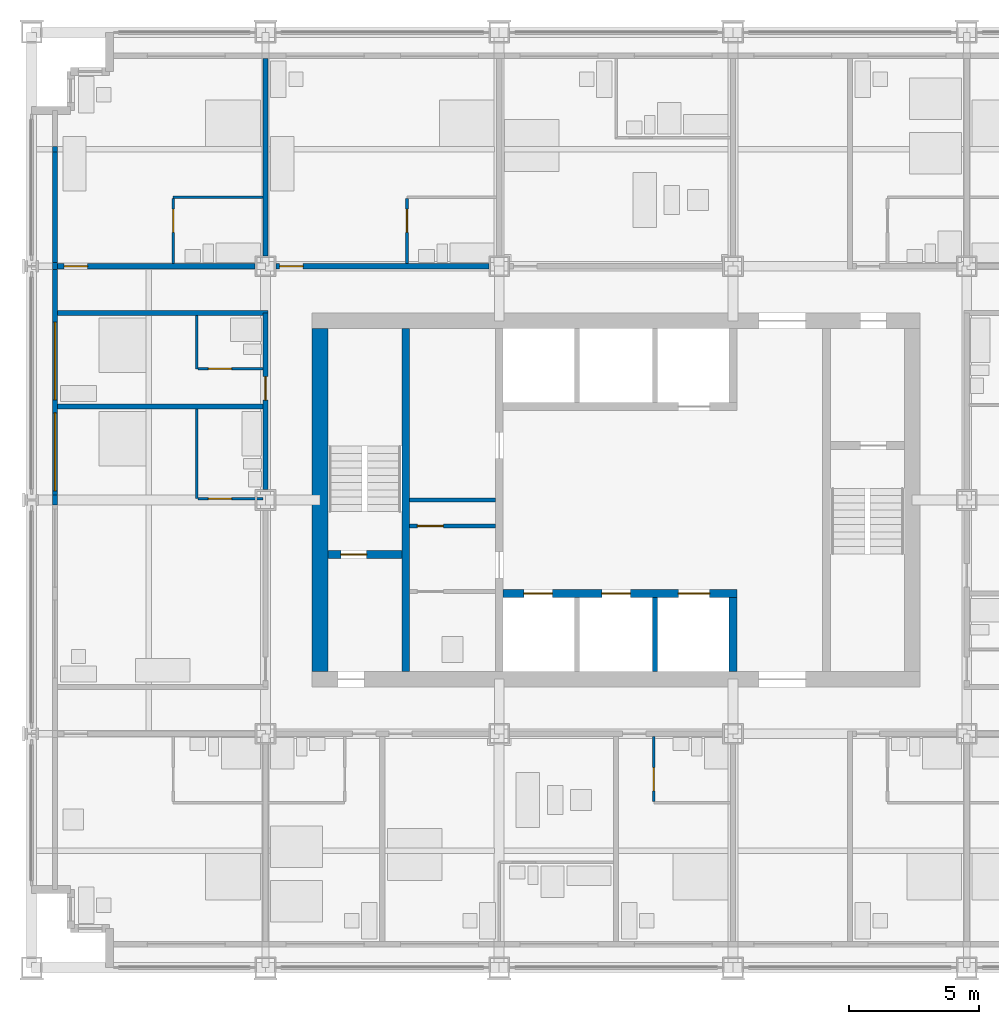
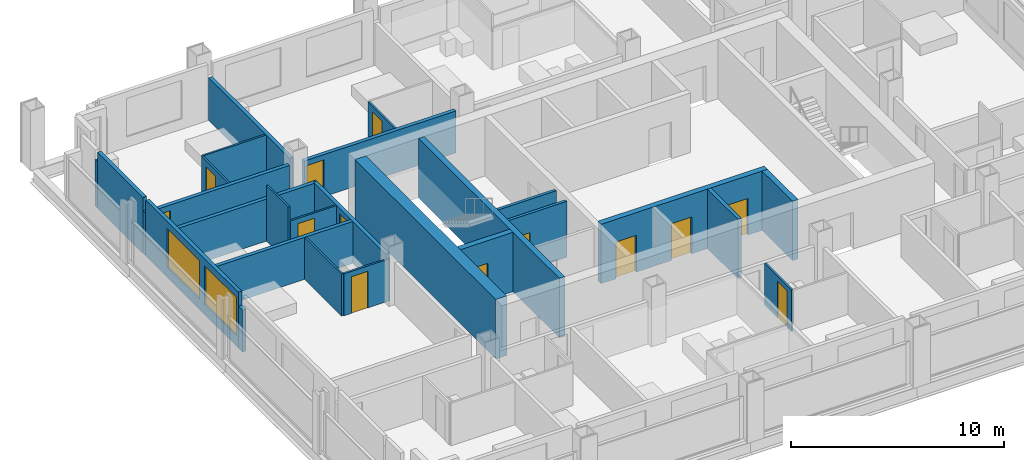
# One storey, part 10 of 16: 27 walls, 13 doors, 2 windows, 15 openings.
"""IFC4 building model written with IfcOpenShell, lengths in metres."""

from ifc_helpers import new_model, si_unit, direction, frame, frame_2d, origin, place, context, subcontext, project, spatial, rectangle, extrude, material, layer, layer_set, type_object, element, fill, save


model = new_model("IFC4")

# Units and contexts
model_context = context("Model", 3, precision=1e-05, world=origin(), true_north=direction((0.0, 1.0)))
body_context = subcontext(model_context, "Body", "Model", "MODEL_VIEW")
ifc_project = project(units=[si_unit("LENGTHUNIT", "METRE"), si_unit("AREAUNIT", "SQUARE_METRE"), si_unit("VOLUMEUNIT", "CUBIC_METRE"), si_unit("PLANEANGLEUNIT", "RADIAN"), si_unit("MASSUNIT", "GRAM", prefix="KILO")], contexts=[model_context])

# Site, building, storey
site_placement = place(None, origin())
site = spatial("IfcSite", under=ifc_project, at=site_placement, CompositionType="ELEMENT")
building_placement = place(site_placement, origin())
building = spatial("IfcBuilding", under=site, at=building_placement, Name="Loomwork Tower", CompositionType="ELEMENT")
storey_placement = place(building_placement, frame((0.0, 0.0, 124.800048828125)))
storey = spatial("IfcBuildingStorey", under=building, at=storey_placement, Name="L33", CompositionType="ELEMENT", Elevation=124.800048828125)

# Wall
ifc_material_1 = material(Name="Concrete 14000 psi (97 MPa)", Category="concrete")
ifc_layer_1 = layer(ifc_material_1, 0.300048828125)
ifc_layer_set_1 = layer_set([ifc_layer_1], Name="Core shear wall 300")
wall_type_1 = type_object("IfcWallType", Name="Core shear wall 300", PredefinedType="SHEAR", material=ifc_layer_set_1)
wall_1_placement = place(storey_placement, frame((14.39990234375, 11.39990234375, 0.0), z_axis=(0.0, 0.0, 1.0), x_axis=(0.0, 1.0, 0.0)))
element("IfcWall", 1, at=wall_1_placement, inside=storey, type_object=wall_type_1, Name="Stair A east wall L33", PredefinedType="SHEAR", context=body_context, shape_type="SweptSolid", body=[
    extrude(rectangle(XDim=13.2001953125, YDim=0.300048828125, at=frame_2d((6.60009765625, 0.0))), origin(), (0.0, 0.0, 1.0), 3.39990234375),
])

# Wall, opening, door
wall_2_placement = place(storey_placement, frame((11.39990234375, 15.89990234375, 0.0), z_axis=(0.0, 0.0, 1.0), x_axis=(1.0, 0.0, 0.0)))
wall_2 = element("IfcWall", 2, at=wall_2_placement, inside=storey, type_object=wall_type_1, Name="Stair A south wall L33", PredefinedType="SHEAR", context=body_context, shape_type="SweptSolid", body=[
    extrude(rectangle(XDim=2.85009765625, YDim=0.300048828125, at=frame_2d((1.425048828125, 0.0))), origin(), (0.0, 0.0, 1.0), 3.39990234375),
])
opening_1_placement = place(wall_2_placement, frame((0.5, 0.0, 0.0)))
opening_1 = element("IfcOpeningElement", 3, at=opening_1_placement, cuts=wall_2, Name="Opening D4", PredefinedType="OPENING", context=body_context, shape_type="SweptSolid", body=[
    extrude(rectangle(XDim=1.0, YDim=2.10009765625, at=frame_2d((0.5, 1.050048828125))), frame((0.0, 0.159912109375, 0.0), z_axis=(0.0, -1.0, 0.0), x_axis=(1.0, 0.0, 0.0)), (0.0, 0.0, 1.0), 0.320068359375),
])
ifc_material_2 = material(Name="Hollow metal door and frame")
door_type_1 = type_object("IfcDoorType", Name="Stair door 1000", OperationType="SINGLE_SWING_RIGHT", PredefinedType="DOOR", material=ifc_material_2)
door_1_placement = place(opening_1_placement, origin())
door_1 = element("IfcDoor", 4, at=door_1_placement, inside=storey, type_object=door_type_1, Name="Stair A door", OperationType="SINGLE_SWING_LEFT", OverallHeight=2.10009765625, OverallWidth=1.0, PredefinedType="DOOR", context=body_context, shape_type="SweptSolid", body=[
    extrude(rectangle(XDim=1.0, YDim=2.10009765625, at=frame_2d((0.5, 1.050048828125))), frame((0.0, 0.02490234375, 0.0), z_axis=(0.0, -1.0, 0.0), x_axis=(1.0, 0.0, 0.0)), (0.0, 0.0, 1.0), 0.050048828125),
])
fill(opening_1, door_1)

# Wall, openings, doors
wall_3_placement = place(storey_placement, frame((18.14990234375, 14.39990234375, 0.0), z_axis=(0.0, 0.0, 1.0), x_axis=(1.0, 0.0, 0.0)))
wall_3 = element("IfcWall", 5, at=wall_3_placement, inside=storey, type_object=wall_type_1, Name="Lift front wall south L33", PredefinedType="SHEAR", context=body_context, shape_type="SweptSolid", body=[
    extrude(rectangle(XDim=9.0, YDim=0.300048828125, at=frame_2d((4.5, 0.0))), origin(), (0.0, 0.0, 1.0), 3.39990234375),
])
opening_2_placement = place(wall_3_placement, frame((0.800048828125, 0.0, 0.0)))
opening_2 = element("IfcOpeningElement", 6, at=opening_2_placement, cuts=wall_3, Name="Opening LD1", PredefinedType="OPENING", context=body_context, shape_type="SweptSolid", body=[
    extrude(rectangle(XDim=1.10009765625, YDim=2.10009765625, at=frame_2d((0.550048828125, 1.050048828125))), frame((0.0, 0.159912109375, 0.0), z_axis=(0.0, -1.0, 0.0), x_axis=(1.0, 0.0, 0.0)), (0.0, 0.0, 1.0), 0.320068359375),
])
opening_3_placement = place(wall_3_placement, frame((3.800048828125, 0.0, 0.0)))
opening_3 = element("IfcOpeningElement", 7, at=opening_3_placement, cuts=wall_3, Name="Opening LD1", PredefinedType="OPENING", context=body_context, shape_type="SweptSolid", body=[
    extrude(rectangle(XDim=1.10009765625, YDim=2.10009765625, at=frame_2d((0.550048828125, 1.050048828125))), frame((0.0, 0.159912109375, 0.0), z_axis=(0.0, -1.0, 0.0), x_axis=(1.0, 0.0, 0.0)), (0.0, 0.0, 1.0), 0.320068359375),
])
opening_4_placement = place(wall_3_placement, frame((6.75, 0.0, 0.0)))
opening_4 = element("IfcOpeningElement", 8, at=opening_4_placement, cuts=wall_3, Name="Opening LD2", PredefinedType="OPENING", context=body_context, shape_type="SweptSolid", body=[
    extrude(rectangle(XDim=1.199951171875, YDim=2.10009765625, at=frame_2d((0.60009765625, 1.050048828125))), frame((0.0, 0.159912109375, 0.0), z_axis=(0.0, -1.0, 0.0), x_axis=(1.0, 0.0, 0.0)), (0.0, 0.0, 1.0), 0.320068359375),
])
ifc_material_3 = material(Name="Hollow metal door and frame")
door_type_2 = type_object("IfcDoorType", Name="Lift landing door 1100", OperationType="SLIDING_TO_LEFT", PredefinedType="DOOR", material=ifc_material_3)
door_2_placement = place(opening_2_placement, origin())
door_2 = element("IfcDoor", 9, at=door_2_placement, inside=storey, type_object=door_type_2, Name="Lift landing door LB1", OperationType="SLIDING_TO_LEFT", OverallHeight=2.10009765625, OverallWidth=1.10009765625, PredefinedType="DOOR", context=body_context, shape_type="SweptSolid", body=[
    extrude(rectangle(XDim=1.10009765625, YDim=2.10009765625, at=frame_2d((0.550048828125, 1.050048828125))), frame((0.0, 0.02490234375, 0.0), z_axis=(0.0, -1.0, 0.0), x_axis=(1.0, 0.0, 0.0)), (0.0, 0.0, 1.0), 0.050048828125),
])
fill(opening_2, door_2)
door_3_placement = place(opening_3_placement, origin())
door_3 = element("IfcDoor", 10, at=door_3_placement, inside=storey, type_object=door_type_2, Name="Lift landing door LB2", OperationType="SLIDING_TO_LEFT", OverallHeight=2.10009765625, OverallWidth=1.10009765625, PredefinedType="DOOR", context=body_context, shape_type="SweptSolid", body=[
    extrude(rectangle(XDim=1.10009765625, YDim=2.10009765625, at=frame_2d((0.550048828125, 1.050048828125))), frame((0.0, 0.02490234375, 0.0), z_axis=(0.0, -1.0, 0.0), x_axis=(1.0, 0.0, 0.0)), (0.0, 0.0, 1.0), 0.050048828125),
])
fill(opening_3, door_3)
ifc_material_4 = material(Name="Hollow metal door and frame")
door_type_3 = type_object("IfcDoorType", Name="Lift landing door 1200", OperationType="SLIDING_TO_LEFT", PredefinedType="DOOR", material=ifc_material_4)
door_4_placement = place(opening_4_placement, origin())
door_4 = element("IfcDoor", 11, at=door_4_placement, inside=storey, type_object=door_type_3, Name="Lift landing door LF1", OperationType="SLIDING_TO_LEFT", OverallHeight=2.10009765625, OverallWidth=1.199951171875, PredefinedType="DOOR", context=body_context, shape_type="SweptSolid", body=[
    extrude(rectangle(XDim=1.199951171875, YDim=2.10009765625, at=frame_2d((0.60009765625, 1.050048828125))), frame((0.0, 0.02490234375, 0.0), z_axis=(0.0, -1.0, 0.0), x_axis=(1.0, 0.0, 0.0)), (0.0, 0.0, 1.0), 0.050048828125),
])
fill(opening_4, door_4)

# Walls
wall_4_placement = place(storey_placement, frame((27.0, 11.39990234375, 0.0), z_axis=(0.0, 0.0, 1.0), x_axis=(0.0, 1.0, 0.0)))
element("IfcWall", 12, at=wall_4_placement, inside=storey, type_object=wall_type_1, Name="Lift shaft end wall south L33", PredefinedType="SHEAR", context=body_context, shape_type="SweptSolid", body=[
    extrude(rectangle(XDim=2.85009765625, YDim=0.300048828125, at=frame_2d((1.425048828125, 0.0))), origin(), (0.0, 0.0, 1.0), 3.39990234375),
])
ifc_material_5 = material(Name="Concrete 14000 psi (97 MPa)", Category="concrete")
ifc_layer_2 = layer(ifc_material_5, 0.60009765625)
ifc_layer_set_2 = layer_set([ifc_layer_2], Name="Core shear wall 600")
wall_type_2 = type_object("IfcWallType", Name="Core shear wall 600", PredefinedType="SHEAR", material=ifc_layer_set_2)
wall_5_placement = place(storey_placement, frame((11.10009765625, 11.39990234375, 0.0), z_axis=(0.0, 0.0, 1.0), x_axis=(0.0, 1.0, 0.0)))
element("IfcWall", 13, at=wall_5_placement, inside=storey, type_object=wall_type_2, Name="Core wall west L33", PredefinedType="SHEAR", context=body_context, shape_type="SweptSolid", body=[
    extrude(rectangle(XDim=13.2001953125, YDim=0.60009765625, at=frame_2d((6.60009765625, 0.0))), origin(), (0.0, 0.0, 1.0), 3.39990234375),
])

# Wall, opening, door
ifc_material_6 = material(Name="Gypsum board on steel studs, one-hour", Category="steel")
ifc_layer_3 = layer(ifc_material_6, 0.199951171875)
ifc_layer_set_3 = layer_set([ifc_layer_3], Name="Corridor wall 200")
wall_type_3 = type_object("IfcWallType", Name="Corridor wall 200", PredefinedType="PARTITIONING", material=ifc_layer_set_3)
wall_6_placement = place(storey_placement, frame((1.0, 27.0, 0.0), z_axis=(0.0, 0.0, 1.0), x_axis=(1.0, 0.0, 0.0)))
wall_6 = element("IfcWall", 14, at=wall_6_placement, inside=storey, type_object=wall_type_3, Name="North corridor wall 1", PredefinedType="PARTITIONING", context=body_context, shape_type="SweptSolid", body=[
    extrude(rectangle(XDim=7.60009765625, YDim=0.199951171875, at=frame_2d((3.800048828125, 0.0))), origin(), (0.0, 0.0, 1.0), 2.43798828125),
])
opening_5_placement = place(wall_6_placement, frame((0.25, 0.0, 0.0)))
opening_5 = element("IfcOpeningElement", 15, at=opening_5_placement, cuts=wall_6, Name="Opening D1", PredefinedType="OPENING", context=body_context, shape_type="SweptSolid", body=[
    extrude(rectangle(XDim=0.89990234375, YDim=2.10009765625, at=frame_2d((0.449951171875, 1.050048828125))), frame((0.0, 0.10986328125, 0.0), z_axis=(0.0, -1.0, 0.0), x_axis=(1.0, 0.0, 0.0)), (0.0, 0.0, 1.0), 0.219970703125),
])
ifc_material_7 = material(Name="Hollow metal door and frame")
door_type_4 = type_object("IfcDoorType", Name="Guest room entry door 900", OperationType="SINGLE_SWING_LEFT", PredefinedType="DOOR", material=ifc_material_7)
door_5_placement = place(opening_5_placement, origin())
door_5 = element("IfcDoor", 16, at=door_5_placement, inside=storey, type_object=door_type_4, Name="Guest room entry door L33 7", OperationType="SINGLE_SWING_LEFT", OverallHeight=2.10009765625, OverallWidth=0.89990234375, PredefinedType="DOOR", context=body_context, shape_type="SweptSolid", body=[
    extrude(rectangle(XDim=0.89990234375, YDim=2.10009765625, at=frame_2d((0.449951171875, 1.050048828125))), frame((0.0, 0.02490234375, 0.0), z_axis=(0.0, -1.0, 0.0), x_axis=(1.0, 0.0, 0.0)), (0.0, 0.0, 1.0), 0.050048828125),
])
fill(opening_5, door_5)

wall_7_placement = place(storey_placement, frame((9.39990234375, 27.0, 0.0), z_axis=(0.0, 0.0, 1.0), x_axis=(1.0, 0.0, 0.0)))
wall_7 = element("IfcWall", 17, at=wall_7_placement, inside=storey, type_object=wall_type_3, Name="North corridor wall 2", PredefinedType="PARTITIONING", context=body_context, shape_type="SweptSolid", body=[
    extrude(rectangle(XDim=8.2001953125, YDim=0.199951171875, at=frame_2d((4.10009765625, 0.0))), origin(), (0.0, 0.0, 1.0), 2.405029296875),
])
opening_6_placement = place(wall_7_placement, frame((0.14990234375, 0.0, 0.0)))
opening_6 = element("IfcOpeningElement", 18, at=opening_6_placement, cuts=wall_7, Name="Opening D1", PredefinedType="OPENING", context=body_context, shape_type="SweptSolid", body=[
    extrude(rectangle(XDim=0.89990234375, YDim=2.10009765625, at=frame_2d((0.449951171875, 1.050048828125))), frame((0.0, 0.10986328125, 0.0), z_axis=(0.0, -1.0, 0.0), x_axis=(1.0, 0.0, 0.0)), (0.0, 0.0, 1.0), 0.219970703125),
])
door_6_placement = place(opening_6_placement, origin())
door_6 = element("IfcDoor", 19, at=door_6_placement, inside=storey, type_object=door_type_4, Name="Guest room entry door L33 8", OperationType="SINGLE_SWING_LEFT", OverallHeight=2.10009765625, OverallWidth=0.89990234375, PredefinedType="DOOR", context=body_context, shape_type="SweptSolid", body=[
    extrude(rectangle(XDim=0.89990234375, YDim=2.10009765625, at=frame_2d((0.449951171875, 1.050048828125))), frame((0.0, 0.02490234375, 0.0), z_axis=(0.0, -1.0, 0.0), x_axis=(1.0, 0.0, 0.0)), (0.0, 0.0, 1.0), 0.050048828125),
])
fill(opening_6, door_6)

wall_8_placement = place(storey_placement, frame((9.0, 18.39990234375, 0.0), z_axis=(0.0, 0.0, 1.0), x_axis=(0.0, 1.0, 0.0)))
wall_8 = element("IfcWall", 20, at=wall_8_placement, inside=storey, type_object=wall_type_3, Name="West corridor wall 2", PredefinedType="PARTITIONING", context=body_context, shape_type="SweptSolid", body=[
    extrude(rectangle(XDim=6.800048828125, YDim=0.199951171875, at=frame_2d((3.39990234375, 0.0))), origin(), (0.0, 0.0, 1.0), 2.405029296875),
])
opening_7_placement = place(wall_8_placement, frame((3.449951171875, 0.0, 0.0)))
opening_7 = element("IfcOpeningElement", 21, at=opening_7_placement, cuts=wall_8, Name="Opening D1", PredefinedType="OPENING", context=body_context, shape_type="SweptSolid", body=[
    extrude(rectangle(XDim=0.89990234375, YDim=2.10009765625, at=frame_2d((0.449951171875, 1.050048828125))), frame((0.0, 0.10986328125, 0.0), z_axis=(0.0, -1.0, 0.0), x_axis=(1.0, 0.0, 0.0)), (0.0, 0.0, 1.0), 0.219970703125),
])
door_7_placement = place(opening_7_placement, origin())
door_7 = element("IfcDoor", 22, at=door_7_placement, inside=storey, type_object=door_type_4, Name="Guest room entry door L33 13", OperationType="SINGLE_SWING_LEFT", OverallHeight=2.10009765625, OverallWidth=0.89990234375, PredefinedType="DOOR", context=body_context, shape_type="SweptSolid", body=[
    extrude(rectangle(XDim=0.89990234375, YDim=2.10009765625, at=frame_2d((0.449951171875, 1.050048828125))), frame((0.0, 0.02490234375, 0.0), z_axis=(0.0, -1.0, 0.0), x_axis=(1.0, 0.0, 0.0)), (0.0, 0.0, 1.0), 0.050048828125),
])
fill(opening_7, door_7)

# Wall
wall_9_placement = place(storey_placement, frame((1.0, 25.199951171875, 0.0), z_axis=(0.0, 0.0, 1.0), x_axis=(1.0, 0.0, 0.0)))
element("IfcWall", 23, at=wall_9_placement, inside=storey, type_object=wall_type_3, Name="West band end wall N", PredefinedType="PARTITIONING", context=body_context, shape_type="SweptSolid", body=[
    extrude(rectangle(XDim=8.10009765625, YDim=0.199951171875, at=frame_2d((4.050048828125, 0.0))), origin(), (0.0, 0.0, 1.0), 2.404052734375),
])

# Wall, opening, door
ifc_material_8 = material(Name="Cement board on steel studs", Category="steel")
ifc_layer_4 = layer(ifc_material_8, 0.10009765625)
ifc_layer_set_4 = layer_set([ifc_layer_4], Name="En-suite partition 100")
wall_type_4 = type_object("IfcWallType", Name="En-suite partition 100", PredefinedType="PARTITIONING", material=ifc_layer_set_4)
wall_10_placement = place(storey_placement, frame((23.949951171875, 8.89990234375, 0.0), z_axis=(0.0, 0.0, 1.0), x_axis=(0.0, -1.0, 0.0)))
wall_10 = element("IfcWall", 24, at=wall_10_placement, inside=storey, type_object=wall_type_4, Name="En-suite side wall L33 room 4", PredefinedType="PARTITIONING", context=body_context, shape_type="SweptSolid", body=[
    extrude(rectangle(XDim=2.5, YDim=0.10009765625, at=frame_2d((1.25, 0.0))), origin(), (0.0, 0.0, 1.0), 2.404052734375),
])
opening_8_placement = place(wall_10_placement, frame((1.199951171875, 0.0, 0.0)))
opening_8 = element("IfcOpeningElement", 25, at=opening_8_placement, cuts=wall_10, Name="Opening D2", PredefinedType="OPENING", context=body_context, shape_type="SweptSolid", body=[
    extrude(rectangle(XDim=0.89990234375, YDim=2.10009765625, at=frame_2d((0.449951171875, 1.050048828125))), frame((0.0, 0.06005859375, 0.0), z_axis=(0.0, -1.0, 0.0), x_axis=(1.0, 0.0, 0.0)), (0.0, 0.0, 1.0), 0.1201171875),
])
ifc_material_9 = material(Name="Hollow metal door and frame")
door_type_5 = type_object("IfcDoorType", Name="En-suite door 900", OperationType="SINGLE_SWING_LEFT", PredefinedType="DOOR", material=ifc_material_9)
door_8_placement = place(opening_8_placement, origin())
door_8 = element("IfcDoor", 26, at=door_8_placement, inside=storey, type_object=door_type_5, Name="En-suite door room 4", OperationType="SINGLE_SWING_RIGHT", OverallHeight=2.10009765625, OverallWidth=0.89990234375, PredefinedType="DOOR", context=body_context, shape_type="SweptSolid", body=[
    extrude(rectangle(XDim=0.89990234375, YDim=2.10009765625, at=frame_2d((0.449951171875, 1.050048828125))), frame((0.0, 0.02490234375, 0.0), z_axis=(0.0, -1.0, 0.0), x_axis=(1.0, 0.0, 0.0)), (0.0, 0.0, 1.0), 0.050048828125),
])
fill(opening_8, door_8)

# Wall
wall_11_placement = place(storey_placement, frame((5.449951171875, 29.64990234375, 0.0), z_axis=(0.0, 0.0, 1.0), x_axis=(1.0, 0.0, 0.0)))
element("IfcWall", 27, at=wall_11_placement, inside=storey, type_object=wall_type_4, Name="En-suite wall L33 room 7", PredefinedType="PARTITIONING", context=body_context, shape_type="SweptSolid", body=[
    extrude(rectangle(XDim=3.449951171875, YDim=0.10009765625, at=frame_2d((1.72509765625, 0.0))), origin(), (0.0, 0.0, 1.0), 2.43798828125),
])

# Wall, opening, door
wall_12_placement = place(storey_placement, frame((5.449951171875, 27.10009765625, 0.0), z_axis=(0.0, 0.0, 1.0), x_axis=(0.0, 1.0, 0.0)))
wall_12 = element("IfcWall", 28, at=wall_12_placement, inside=storey, type_object=wall_type_4, Name="En-suite side wall L33 room 7", PredefinedType="PARTITIONING", context=body_context, shape_type="SweptSolid", body=[
    extrude(rectangle(XDim=2.5, YDim=0.10009765625, at=frame_2d((1.25, 0.0))), origin(), (0.0, 0.0, 1.0), 2.43798828125),
])
opening_9_placement = place(wall_12_placement, frame((1.199951171875, 0.0, 0.0)))
opening_9 = element("IfcOpeningElement", 29, at=opening_9_placement, cuts=wall_12, Name="Opening D2", PredefinedType="OPENING", context=body_context, shape_type="SweptSolid", body=[
    extrude(rectangle(XDim=0.89990234375, YDim=2.10009765625, at=frame_2d((0.449951171875, 1.050048828125))), frame((0.0, 0.06005859375, 0.0), z_axis=(0.0, -1.0, 0.0), x_axis=(1.0, 0.0, 0.0)), (0.0, 0.0, 1.0), 0.1201171875),
])
door_9_placement = place(opening_9_placement, frame((0.89990234375, 0.0, 0.0), z_axis=(0.0, 0.0, 1.0), x_axis=(-1.0, 0.0, 0.0)))
door_9 = element("IfcDoor", 30, at=door_9_placement, inside=storey, type_object=door_type_5, Name="En-suite door room 7", OperationType="SINGLE_SWING_LEFT", OverallHeight=2.10009765625, OverallWidth=0.89990234375, PredefinedType="DOOR", context=body_context, shape_type="SweptSolid", body=[
    extrude(rectangle(XDim=0.89990234375, YDim=2.10009765625, at=frame_2d((0.449951171875, 1.050048828125))), frame((0.0, 0.02490234375, 0.0), z_axis=(0.0, -1.0, 0.0), x_axis=(1.0, 0.0, 0.0)), (0.0, 0.0, 1.0), 0.050048828125),
])
fill(opening_9, door_9)

wall_13_placement = place(storey_placement, frame((14.449951171875, 27.10009765625, 0.0), z_axis=(0.0, 0.0, 1.0), x_axis=(0.0, 1.0, 0.0)))
wall_13 = element("IfcWall", 31, at=wall_13_placement, inside=storey, type_object=wall_type_4, Name="En-suite side wall L33 room 8", PredefinedType="PARTITIONING", context=body_context, shape_type="SweptSolid", body=[
    extrude(rectangle(XDim=2.5, YDim=0.10009765625, at=frame_2d((1.25, 0.0))), origin(), (0.0, 0.0, 1.0), 2.404052734375),
])
opening_10_placement = place(wall_13_placement, frame((1.199951171875, 0.0, 0.0)))
opening_10 = element("IfcOpeningElement", 32, at=opening_10_placement, cuts=wall_13, Name="Opening D2", PredefinedType="OPENING", context=body_context, shape_type="SweptSolid", body=[
    extrude(rectangle(XDim=0.89990234375, YDim=2.10009765625, at=frame_2d((0.449951171875, 1.050048828125))), frame((0.0, 0.06005859375, 0.0), z_axis=(0.0, -1.0, 0.0), x_axis=(1.0, 0.0, 0.0)), (0.0, 0.0, 1.0), 0.1201171875),
])
door_10_placement = place(opening_10_placement, frame((0.89990234375, 0.0, 0.0), z_axis=(0.0, 0.0, 1.0), x_axis=(-1.0, 0.0, 0.0)))
door_10 = element("IfcDoor", 33, at=door_10_placement, inside=storey, type_object=door_type_5, Name="En-suite door room 8", OperationType="SINGLE_SWING_LEFT", OverallHeight=2.10009765625, OverallWidth=0.89990234375, PredefinedType="DOOR", context=body_context, shape_type="SweptSolid", body=[
    extrude(rectangle(XDim=0.89990234375, YDim=2.10009765625, at=frame_2d((0.449951171875, 1.050048828125))), frame((0.0, 0.02490234375, 0.0), z_axis=(0.0, -1.0, 0.0), x_axis=(1.0, 0.0, 0.0)), (0.0, 0.0, 1.0), 0.050048828125),
])
fill(opening_10, door_10)

# Wall
wall_14_placement = place(storey_placement, frame((6.35009765625, 18.050048828125, 0.0), z_axis=(0.0, 0.0, 1.0), x_axis=(0.0, 1.0, 0.0)))
element("IfcWall", 34, at=wall_14_placement, inside=storey, type_object=wall_type_4, Name="En-suite wall L33 room 12", PredefinedType="PARTITIONING", context=body_context, shape_type="SweptSolid", body=[
    extrude(rectangle(XDim=3.449951171875, YDim=0.10009765625, at=frame_2d((1.72509765625, 0.0))), origin(), (0.0, 0.0, 1.0), 2.404052734375),
])

# Wall, opening, door
wall_15_placement = place(storey_placement, frame((8.89990234375, 18.050048828125, 0.0), z_axis=(0.0, 0.0, 1.0), x_axis=(-1.0, 0.0, 0.0)))
wall_15 = element("IfcWall", 35, at=wall_15_placement, inside=storey, type_object=wall_type_4, Name="En-suite side wall L33 room 12", PredefinedType="PARTITIONING", context=body_context, shape_type="SweptSolid", body=[
    extrude(rectangle(XDim=2.5, YDim=0.10009765625, at=frame_2d((1.25, 0.0))), origin(), (0.0, 0.0, 1.0), 2.405029296875),
])
opening_11_placement = place(wall_15_placement, frame((1.199951171875, 0.0, 0.0)))
opening_11 = element("IfcOpeningElement", 36, at=opening_11_placement, cuts=wall_15, Name="Opening D2", PredefinedType="OPENING", context=body_context, shape_type="SweptSolid", body=[
    extrude(rectangle(XDim=0.89990234375, YDim=2.10009765625, at=frame_2d((0.449951171875, 1.050048828125))), frame((0.0, 0.06005859375, 0.0), z_axis=(0.0, -1.0, 0.0), x_axis=(1.0, 0.0, 0.0)), (0.0, 0.0, 1.0), 0.1201171875),
])
door_11_placement = place(opening_11_placement, frame((0.89990234375, 0.0, 0.0), z_axis=(0.0, 0.0, 1.0), x_axis=(-1.0, 0.0, 0.0)))
door_11 = element("IfcDoor", 37, at=door_11_placement, inside=storey, type_object=door_type_5, Name="En-suite door room 12", OperationType="SINGLE_SWING_LEFT", OverallHeight=2.10009765625, OverallWidth=0.89990234375, PredefinedType="DOOR", context=body_context, shape_type="SweptSolid", body=[
    extrude(rectangle(XDim=0.89990234375, YDim=2.10009765625, at=frame_2d((0.449951171875, 1.050048828125))), frame((0.0, 0.02490234375, 0.0), z_axis=(0.0, -1.0, 0.0), x_axis=(1.0, 0.0, 0.0)), (0.0, 0.0, 1.0), 0.050048828125),
])
fill(opening_11, door_11)

# Wall
wall_16_placement = place(storey_placement, frame((6.35009765625, 23.050048828125, 0.0), z_axis=(0.0, 0.0, 1.0), x_axis=(0.0, 1.0, 0.0)))
element("IfcWall", 38, at=wall_16_placement, inside=storey, type_object=wall_type_4, Name="En-suite wall L33 room 13", PredefinedType="PARTITIONING", context=body_context, shape_type="SweptSolid", body=[
    extrude(rectangle(XDim=2.050048828125, YDim=0.10009765625, at=frame_2d((1.02490234375, 0.0))), origin(), (0.0, 0.0, 1.0), 3.199951171875),
])

# Wall, opening, door
wall_17_placement = place(storey_placement, frame((8.89990234375, 23.050048828125, 0.0), z_axis=(0.0, 0.0, 1.0), x_axis=(-1.0, 0.0, 0.0)))
wall_17 = element("IfcWall", 39, at=wall_17_placement, inside=storey, type_object=wall_type_4, Name="En-suite side wall L33 room 13", PredefinedType="PARTITIONING", context=body_context, shape_type="SweptSolid", body=[
    extrude(rectangle(XDim=2.5, YDim=0.10009765625, at=frame_2d((1.25, 0.0))), origin(), (0.0, 0.0, 1.0), 2.404052734375),
])
opening_12_placement = place(wall_17_placement, frame((1.199951171875, 0.0, 0.0)))
opening_12 = element("IfcOpeningElement", 40, at=opening_12_placement, cuts=wall_17, Name="Opening D2", PredefinedType="OPENING", context=body_context, shape_type="SweptSolid", body=[
    extrude(rectangle(XDim=0.89990234375, YDim=2.10009765625, at=frame_2d((0.449951171875, 1.050048828125))), frame((0.0, 0.06005859375, 0.0), z_axis=(0.0, -1.0, 0.0), x_axis=(1.0, 0.0, 0.0)), (0.0, 0.0, 1.0), 0.1201171875),
])
door_12_placement = place(opening_12_placement, frame((0.89990234375, 0.0, 0.0), z_axis=(0.0, 0.0, 1.0), x_axis=(-1.0, 0.0, 0.0)))
door_12 = element("IfcDoor", 41, at=door_12_placement, inside=storey, type_object=door_type_5, Name="En-suite door room 13", OperationType="SINGLE_SWING_LEFT", OverallHeight=2.10009765625, OverallWidth=0.89990234375, PredefinedType="DOOR", context=body_context, shape_type="SweptSolid", body=[
    extrude(rectangle(XDim=0.89990234375, YDim=2.10009765625, at=frame_2d((0.449951171875, 1.050048828125))), frame((0.0, 0.02490234375, 0.0), z_axis=(0.0, -1.0, 0.0), x_axis=(1.0, 0.0, 0.0)), (0.0, 0.0, 1.0), 0.050048828125),
])
fill(opening_12, door_12)

# Walls
ifc_material_10 = material(Name="Gypsum board on steel studs, acoustic", Category="steel")
ifc_layer_5 = layer(ifc_material_10, 0.199951171875)
ifc_layer_set_5 = layer_set([ifc_layer_5], Name="Guest room party wall 200")
wall_type_5 = type_object("IfcWallType", Name="Guest room party wall 200", PredefinedType="PARTITIONING", material=ifc_layer_set_5)
wall_18_placement = place(storey_placement, frame((9.0, 27.39990234375, 0.0), z_axis=(0.0, 0.0, 1.0), x_axis=(0.0, 1.0, 0.0)))
element("IfcWall", 42, at=wall_18_placement, inside=storey, type_object=wall_type_5, Name="Guest room party wall N 9", PredefinedType="PARTITIONING", context=body_context, shape_type="SweptSolid", body=[
    extrude(rectangle(XDim=7.60009765625, YDim=0.199951171875, at=frame_2d((3.800048828125, 0.0))), origin(), (0.0, 0.0, 1.0), 2.43798828125),
])
wall_19_placement = place(storey_placement, frame((8.89990234375, 21.60009765625, 0.0), z_axis=(0.0, 0.0, 1.0), x_axis=(-1.0, 0.0, 0.0)))
element("IfcWall", 43, at=wall_19_placement, inside=storey, type_object=wall_type_5, Name="Guest room party wall W 21.6", PredefinedType="PARTITIONING", context=body_context, shape_type="SweptSolid", body=[
    extrude(rectangle(XDim=7.89990234375, YDim=0.199951171875, at=frame_2d((3.949951171875, 0.0))), origin(), (0.0, 0.0, 1.0), 2.404052734375),
])
ifc_material_11 = material(Name="Insulated steel stud wall with gypsum lining", Category="steel")
ifc_layer_6 = layer(ifc_material_11, 0.199951171875)
ifc_layer_set_6 = layer_set([ifc_layer_6], Name="Inner skin wall 200")
wall_type_6 = type_object("IfcWallType", Name="Inner skin wall 200", PredefinedType="SOLIDWALL", material=ifc_layer_set_6)
wall_20_placement = place(storey_placement, frame((0.89990234375, 17.80615234375, 0.0), z_axis=(0.0, 0.0, 1.0), x_axis=(0.0, 1.0, 0.0)))
element("IfcWall", 44, at=wall_20_placement, inside=storey, type_object=wall_type_6, Name="Inner skin wall W bay 6", PredefinedType="SOLIDWALL", context=body_context, shape_type="SweptSolid", body=[
    extrude(rectangle(XDim=0.3876953125, YDim=0.199951171875, at=frame_2d((0.19384765625, 0.0))), origin(), (0.0, 0.0, 1.0), 2.404052734375),
])

# Wall, openings, windows
wall_21_placement = place(storey_placement, frame((0.89990234375, 18.19384765625, 0.0), z_axis=(0.0, 0.0, 1.0), x_axis=(0.0, 1.0, 0.0)))
wall_21 = element("IfcWall", 45, at=wall_21_placement, inside=storey, type_object=wall_type_6, Name="Inner skin wall W bay 7", PredefinedType="SOLIDWALL", context=body_context, shape_type="SweptSolid", body=[
    extrude(rectangle(XDim=8.6708984375, YDim=0.199951171875, at=frame_2d((4.33544921875, 0.0))), origin(), (0.0, 0.0, 1.0), 3.199951171875),
])
opening_13_placement = place(wall_21_placement, frame((0.15625, 0.0, 0.60009765625)))
opening_13 = element("IfcOpeningElement", 46, at=opening_13_placement, cuts=wall_21, Name="Opening CH1", PredefinedType="OPENING", context=body_context, shape_type="SweptSolid", body=[
    extrude(rectangle(XDim=3.0, YDim=2.199951171875, at=frame_2d((1.5, 1.10009765625))), frame((0.0, 0.10986328125, 0.0), z_axis=(0.0, -1.0, 0.0), x_axis=(1.0, 0.0, 0.0)), (0.0, 0.0, 1.0), 0.219970703125),
])
opening_14_placement = place(wall_21_placement, frame((3.65625, 0.0, 0.60009765625)))
opening_14 = element("IfcOpeningElement", 47, at=opening_14_placement, cuts=wall_21, Name="Opening CH1", PredefinedType="OPENING", context=body_context, shape_type="SweptSolid", body=[
    extrude(rectangle(XDim=3.0, YDim=2.199951171875, at=frame_2d((1.5, 1.10009765625))), frame((0.0, 0.10986328125, 0.0), z_axis=(0.0, -1.0, 0.0), x_axis=(1.0, 0.0, 0.0)), (0.0, 0.0, 1.0), 0.219970703125),
])
ifc_material_12 = material(Name="Aluminium frame with clear insulated glass", Category="aluminium")
window_type = type_object("IfcWindowType", Name="Chicago window 3000", PartitioningType="TRIPLE_PANEL_VERTICAL", PredefinedType="WINDOW", material=ifc_material_12)
window_1_placement = place(opening_13_placement, origin())
window_1 = element("IfcWindow", 48, at=window_1_placement, inside=storey, type_object=window_type, Name="Chicago window L33 bay 12", OverallHeight=2.199951171875, OverallWidth=3.0, PartitioningType="TRIPLE_PANEL_VERTICAL", PredefinedType="WINDOW", context=body_context, shape_type="SweptSolid", body=[
    extrude(rectangle(XDim=3.0, YDim=2.199951171875, at=frame_2d((1.5, 1.10009765625))), frame((0.0, 0.030029296875, 0.0), z_axis=(0.0, -1.0, 0.0), x_axis=(1.0, 0.0, 0.0)), (0.0, 0.0, 1.0), 0.06005859375),
])
fill(opening_13, window_1)
window_2_placement = place(opening_14_placement, origin())
window_2 = element("IfcWindow", 49, at=window_2_placement, inside=storey, type_object=window_type, Name="Chicago window L33 bay 12", OverallHeight=2.199951171875, OverallWidth=3.0, PartitioningType="TRIPLE_PANEL_VERTICAL", PredefinedType="WINDOW", context=body_context, shape_type="SweptSolid", body=[
    extrude(rectangle(XDim=3.0, YDim=2.199951171875, at=frame_2d((1.5, 1.10009765625))), frame((0.0, 0.030029296875, 0.0), z_axis=(0.0, -1.0, 0.0), x_axis=(1.0, 0.0, 0.0)), (0.0, 0.0, 1.0), 0.06005859375),
])
fill(opening_14, window_2)

# Walls
wall_22_placement = place(storey_placement, frame((0.89990234375, 26.86474609375, 0.0), z_axis=(0.0, 0.0, 1.0), x_axis=(0.0, 1.0, 0.0)))
element("IfcWall", 50, at=wall_22_placement, inside=storey, type_object=wall_type_6, Name="Inner skin wall W bay 8", PredefinedType="SOLIDWALL", context=body_context, shape_type="SweptSolid", body=[
    extrude(rectangle(XDim=0.2705078125, YDim=0.199951171875, at=frame_2d((0.13525390625, 0.0))), origin(), (0.0, 0.0, 1.0), 2.43798828125),
])
wall_23_placement = place(storey_placement, frame((0.89990234375, 27.13525390625, 0.0), z_axis=(0.0, 0.0, 1.0), x_axis=(0.0, 1.0, 0.0)))
element("IfcWall", 51, at=wall_23_placement, inside=storey, type_object=wall_type_6, Name="Inner skin wall W bay 9", PredefinedType="SOLIDWALL", context=body_context, shape_type="SweptSolid", body=[
    extrude(rectangle(XDim=4.25732421875, YDim=0.199951171875, at=frame_2d((2.128662109375, 0.0))), origin(), (0.0, 0.0, 1.0), 3.199951171875),
])
wall_24_placement = place(storey_placement, frame((0.89990234375, 31.392578125, 0.0), z_axis=(0.0, 0.0, 1.0), x_axis=(0.0, 1.0, 0.0)))
element("IfcWall", 52, at=wall_24_placement, inside=storey, type_object=wall_type_6, Name="Inner skin wall W bay 10", PredefinedType="SOLIDWALL", context=body_context, shape_type="SweptSolid", body=[
    extrude(rectangle(XDim=0.21484375, YDim=0.199951171875, at=frame_2d((0.107421875, 0.0))), origin(), (0.0, 0.0, 1.0), 2.660888671875),
])
ifc_material_13 = material(Name="Concrete 14000 psi (97 MPa)", Category="concrete")
ifc_layer_7 = layer(ifc_material_13, 0.199951171875)
ifc_layer_set_7 = layer_set([ifc_layer_7], Name="Lift shaft wall 200")
wall_type_7 = type_object("IfcWallType", Name="Lift shaft wall 200", PredefinedType="SHEAR", material=ifc_layer_set_7)
wall_25_placement = place(storey_placement, frame((24.0, 11.39990234375, 0.0), z_axis=(0.0, 0.0, 1.0), x_axis=(0.0, 1.0, 0.0)))
element("IfcWall", 53, at=wall_25_placement, inside=storey, type_object=wall_type_7, Name="Lift shaft separation wall south 2 L33", PredefinedType="SHEAR", context=body_context, shape_type="SweptSolid", body=[
    extrude(rectangle(XDim=2.85009765625, YDim=0.199951171875, at=frame_2d((1.425048828125, 0.0))), origin(), (0.0, 0.0, 1.0), 3.39990234375),
])
ifc_material_14 = material(Name="Gypsum board on steel studs", Category="steel")
ifc_layer_8 = layer(ifc_material_14, 0.14990234375)
ifc_layer_set_8 = layer_set([ifc_layer_8], Name="Partition 150 two-hour")
wall_type_8 = type_object("IfcWallType", Name="Partition 150 two-hour", PredefinedType="PARTITIONING", material=ifc_layer_set_8)
wall_26_placement = place(storey_placement, frame((14.550048828125, 18.0, 0.0), z_axis=(0.0, 0.0, 1.0), x_axis=(1.0, 0.0, 0.0)))
element("IfcWall", 54, at=wall_26_placement, inside=storey, type_object=wall_type_8, Name="Back-of-house dividing wall L33", PredefinedType="PARTITIONING", context=body_context, shape_type="SweptSolid", body=[
    extrude(rectangle(XDim=3.300048828125, YDim=0.14990234375, at=frame_2d((1.64990234375, 0.0))), origin(), (0.0, 0.0, 1.0), 3.199951171875),
])

# Wall, opening, door
ifc_material_15 = material(Name="Gypsum board on steel studs, one-hour", Category="steel")
ifc_layer_9 = layer(ifc_material_15, 0.14990234375)
ifc_layer_set_9 = layer_set([ifc_layer_9], Name="Service partition 150")
wall_type_9 = type_object("IfcWallType", Name="Service partition 150", PredefinedType="PARTITIONING", material=ifc_layer_set_9)
wall_27_placement = place(storey_placement, frame((14.550048828125, 17.0, 0.0), z_axis=(0.0, 0.0, 1.0), x_axis=(1.0, 0.0, 0.0)))
wall_27 = element("IfcWall", 55, at=wall_27_placement, inside=storey, type_object=wall_type_9, Name="Riser enclosure L33", PredefinedType="PARTITIONING", context=body_context, shape_type="SweptSolid", body=[
    extrude(rectangle(XDim=3.300048828125, YDim=0.14990234375, at=frame_2d((1.64990234375, 0.0))), origin(), (0.0, 0.0, 1.0), 3.199951171875),
])
opening_15_placement = place(wall_27_placement, frame((0.300048828125, 0.0, 0.0)))
opening_15 = element("IfcOpeningElement", 56, at=opening_15_placement, cuts=wall_27, Name="Opening D18", PredefinedType="OPENING", context=body_context, shape_type="SweptSolid", body=[
    extrude(rectangle(XDim=1.0, YDim=2.10009765625, at=frame_2d((0.5, 1.050048828125))), frame((0.0, 0.0849609375, 0.0), z_axis=(0.0, -1.0, 0.0), x_axis=(1.0, 0.0, 0.0)), (0.0, 0.0, 1.0), 0.169921875),
])
ifc_material_16 = material(Name="Hollow metal door and frame")
door_type_6 = type_object("IfcDoorType", Name="Ninety-minute service door 1000", OperationType="SINGLE_SWING_LEFT", PredefinedType="DOOR", material=ifc_material_16)
door_13_placement = place(opening_15_placement, frame((1.0, 0.0, 0.0), z_axis=(0.0, 0.0, 1.0), x_axis=(-1.0, 0.0, 0.0)))
door_13 = element("IfcDoor", 57, at=door_13_placement, inside=storey, type_object=door_type_6, Name="Riser access door", OperationType="SINGLE_SWING_RIGHT", OverallHeight=2.10009765625, OverallWidth=1.0, PredefinedType="DOOR", context=body_context, shape_type="SweptSolid", body=[
    extrude(rectangle(XDim=1.0, YDim=2.10009765625, at=frame_2d((0.5, 1.050048828125))), frame((0.0, 0.02490234375, 0.0), z_axis=(0.0, -1.0, 0.0), x_axis=(1.0, 0.0, 0.0)), (0.0, 0.0, 1.0), 0.050048828125),
])
fill(opening_15, door_13)

save(model, "model.ifc")
